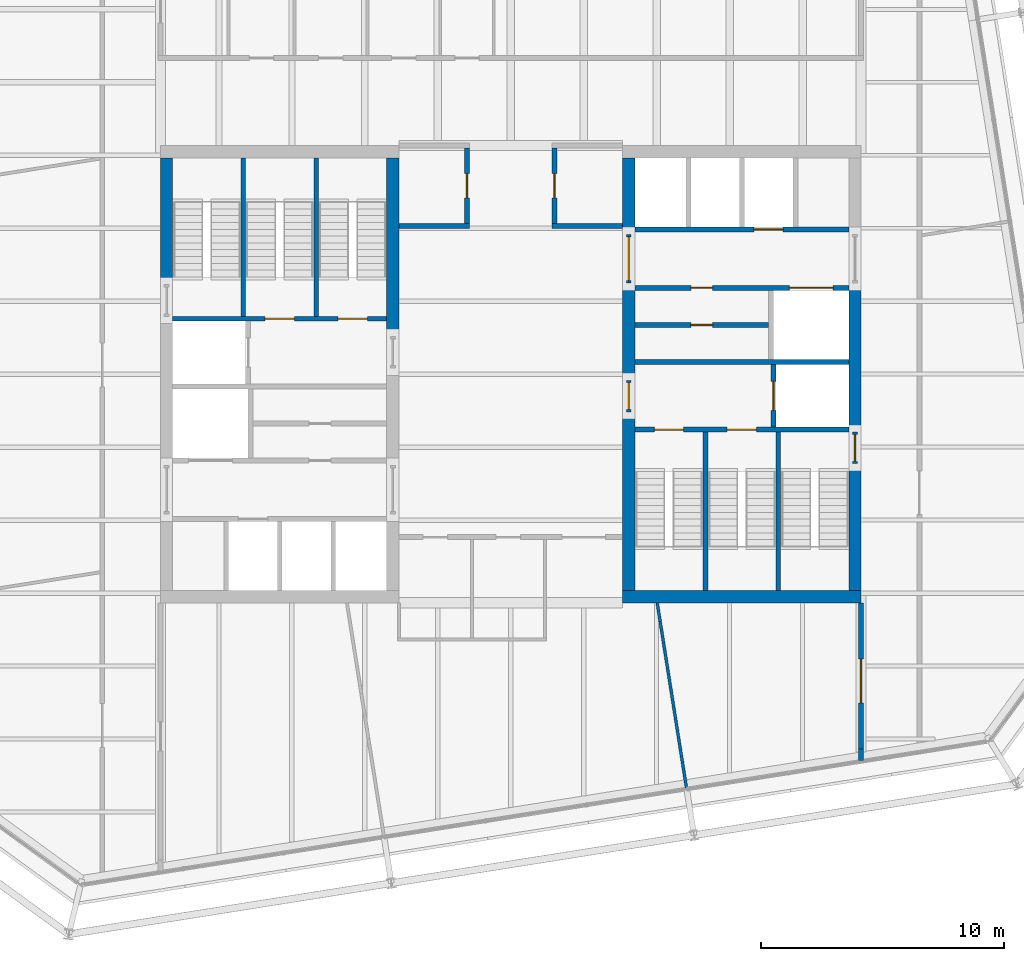
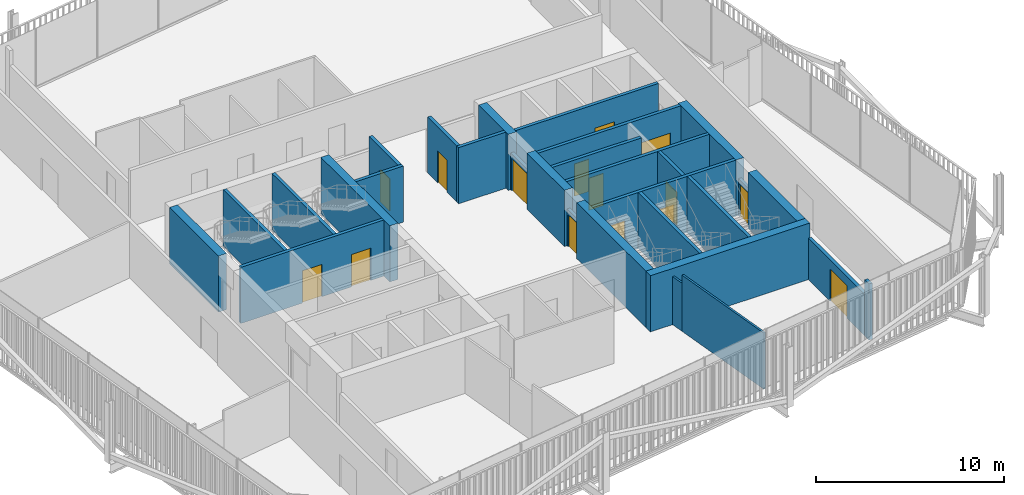
# One storey, part 18 of 21: 30 walls, 15 doors, 15 openings.
"""IFC4 building model written with IfcOpenShell, lengths in metres."""

from ifc_helpers import new_model, si_unit, direction, frame, frame_2d, origin, place, context, subcontext, project, spatial, rectangle, extrude, material, layer, layer_set, type_object, element, fill, save


model = new_model("IFC4")

# Units and contexts
model_context = context("Model", 3, precision=1e-05, world=origin(), true_north=direction((0.0, 1.0)))
body_context = subcontext(model_context, "Body", "Model", "MODEL_VIEW")
ifc_project = project(units=[si_unit("LENGTHUNIT", "METRE"), si_unit("AREAUNIT", "SQUARE_METRE"), si_unit("VOLUMEUNIT", "CUBIC_METRE"), si_unit("PLANEANGLEUNIT", "RADIAN"), si_unit("MASSUNIT", "GRAM", prefix="KILO")], contexts=[model_context])

# Site, building, storey
site_placement = place(None, origin())
site = spatial("IfcSite", under=ifc_project, at=site_placement, CompositionType="ELEMENT")
building_placement = place(site_placement, origin())
building = spatial("IfcBuilding", under=site, at=building_placement, Name="Millrace Tower", CompositionType="ELEMENT")
storey_placement = place(building_placement, frame((0.0, 0.0, 263.0)))
storey = spatial("IfcBuildingStorey", under=building, at=storey_placement, Name="L60", CompositionType="ELEMENT", Elevation=263.0)

# Walls
ifc_material_1 = material(Name="Concrete C60", Category="concrete")
ifc_layer_1 = layer(ifc_material_1, 0.5)
ifc_layer_set_1 = layer_set([ifc_layer_1], Name="Concrete C60")
wall_type_1 = type_object("IfcWallType", Name="Core wall 500 Concrete C60", PredefinedType="SHEAR", material=ifc_layer_set_1)
wall_1_placement = place(storey_placement, frame((-14.14990234375, 3.679931640625, 0.0), z_axis=(0.0, 0.0, 1.0), x_axis=(0.0, 1.0, 0.0)))
element("IfcWall", 1, at=wall_1_placement, inside=storey, type_object=wall_type_1, Name="Core wall W L60", PredefinedType="SHEAR", context=body_context, shape_type="SweptSolid", body=[
    extrude(rectangle(XDim=5.219970703125, YDim=0.5, at=frame_2d((2.60986328125, 0.0))), origin(), (0.0, 0.0, 1.0), 3.64990234375),
])
wall_2_placement = place(storey_placement, frame((-4.85009765625, 1.550048828125, 0.0), z_axis=(0.0, 0.0, 1.0), x_axis=(0.0, 1.0, 0.0)))
element("IfcWall", 2, at=wall_2_placement, inside=storey, type_object=wall_type_1, Name="Core wall W L60", PredefinedType="SHEAR", context=body_context, shape_type="SweptSolid", body=[
    extrude(rectangle(XDim=7.349853515625, YDim=0.5, at=frame_2d((3.6748046875, 0.0))), origin(), (0.0, 0.0, 1.0), 3.64990234375),
])
wall_3_placement = place(storey_placement, frame((14.39990234375, -9.14990234375, 0.0), z_axis=(0.0, 0.0, 1.0), x_axis=(-1.0, 0.0, 0.0)))
element("IfcWall", 3, at=wall_3_placement, inside=storey, type_object=wall_type_1, Name="Core wall E L60", PredefinedType="SHEAR", context=body_context, shape_type="SweptSolid", body=[
    extrude(rectangle(XDim=9.7998046875, YDim=0.5, at=frame_2d((4.89990234375, 0.0))), origin(), (0.0, 0.0, 1.0), 3.64990234375),
])
wall_4_placement = place(storey_placement, frame((14.14990234375, 3.75, 0.0), z_axis=(0.0, 0.0, 1.0), x_axis=(0.0, -1.0, 0.0)))
element("IfcWall", 4, at=wall_4_placement, inside=storey, type_object=wall_type_1, Name="Core wall E L60", PredefinedType="SHEAR", context=body_context, shape_type="SweptSolid", body=[
    extrude(rectangle(XDim=6.1298828125, YDim=0.5, at=frame_2d((3.06494140625, 0.0))), origin(), (0.0, 0.0, 1.0), 3.64990234375),
])
wall_5_placement = place(storey_placement, frame((14.14990234375, -3.679931640625, 0.0), z_axis=(0.0, 0.0, 1.0), x_axis=(0.0, -1.0, 0.0)))
element("IfcWall", 5, at=wall_5_placement, inside=storey, type_object=wall_type_1, Name="Core wall E L60", PredefinedType="SHEAR", context=body_context, shape_type="SweptSolid", body=[
    extrude(rectangle(XDim=5.219970703125, YDim=0.5, at=frame_2d((2.60986328125, 0.0))), origin(), (0.0, 0.0, 1.0), 3.64990234375),
])
wall_6_placement = place(storey_placement, frame((4.85009765625, 8.89990234375, 0.0), z_axis=(0.0, 0.0, 1.0), x_axis=(0.0, -1.0, 0.0)))
element("IfcWall", 6, at=wall_6_placement, inside=storey, type_object=wall_type_1, Name="Core wall E L60", PredefinedType="SHEAR", context=body_context, shape_type="SweptSolid", body=[
    extrude(rectangle(XDim=3.14990234375, YDim=0.5, at=frame_2d((1.574951171875, 0.0))), origin(), (0.0, 0.0, 1.0), 3.64990234375),
])
wall_7_placement = place(storey_placement, frame((4.85009765625, 3.75, 0.0), z_axis=(0.0, 0.0, 1.0), x_axis=(0.0, -1.0, 0.0)))
element("IfcWall", 7, at=wall_7_placement, inside=storey, type_object=wall_type_1, Name="Core wall E L60", PredefinedType="SHEAR", context=body_context, shape_type="SweptSolid", body=[
    extrude(rectangle(XDim=4.0, YDim=0.5, at=frame_2d((2.0, 0.0))), origin(), (0.0, 0.0, 1.0), 3.64990234375),
])
wall_8_placement = place(storey_placement, frame((4.85009765625, -1.550048828125, 0.0), z_axis=(0.0, 0.0, 1.0), x_axis=(0.0, -1.0, 0.0)))
element("IfcWall", 8, at=wall_8_placement, inside=storey, type_object=wall_type_1, Name="Core wall E L60", PredefinedType="SHEAR", context=body_context, shape_type="SweptSolid", body=[
    extrude(rectangle(XDim=7.349853515625, YDim=0.5, at=frame_2d((3.6748046875, 0.0))), origin(), (0.0, 0.0, 1.0), 3.64990234375),
])
ifc_material_2 = material(Name="Masonry partition, fire-rated", Category="masonry")
ifc_layer_2 = layer(ifc_material_2, 0.199951171875)
ifc_layer_set_2 = layer_set([ifc_layer_2], Name="Masonry partition, fire-rated")
wall_type_2 = type_object("IfcWallType", Name="Corridor wall 200", PredefinedType="PARTITIONING", material=ifc_layer_set_2)
for number, where, z_axis, x_axis, name in (
    (9, (-4.60009765625, 6.10009765625, 0.0), (0.0, 0.0, 1.0), (1.0, 0.0, 0.0), "Corridor wall L60"),
    (10, (1.699951171875, 6.10009765625, 0.0), (0.0, 0.0, 1.0), (1.0, 0.0, 0.0), "Corridor wall L60"),
):
    element("IfcWall", number, at=place(storey_placement, frame(where, z_axis=z_axis, x_axis=x_axis)), inside=storey, type_object=wall_type_2, Name=name, PredefinedType="PARTITIONING", context=body_context, shape_type="SweptSolid", body=[
        extrude(rectangle(XDim=2.900146484375, YDim=0.199951171875, at=frame_2d((1.4501953125, 0.0))), origin(), (0.0, 0.0, 1.0), 3.64990234375),
    ])
wall_9_placement = place(storey_placement, frame((14.39990234375, -15.87451171875, 0.0), z_axis=(0.0, 0.0, 1.0), x_axis=(0.0, 1.0, 0.0)))
element("IfcWall", 11, at=wall_9_placement, inside=storey, type_object=wall_type_2, Name="Corridor wall L60", PredefinedType="PARTITIONING", context=body_context, shape_type="SweptSolid", body=[
    extrude(rectangle(XDim=0.46533203125, YDim=0.199951171875, at=frame_2d((0.232666015625, 0.0))), origin(), (0.0, 0.0, 1.0), 3.64990234375),
])

# Wall, opening, door
wall_10_placement = place(storey_placement, frame((14.39990234375, -15.4091796875, 0.0), z_axis=(0.0, 0.0, 1.0), x_axis=(0.0, 1.0, 0.0)))
wall_10 = element("IfcWall", 12, at=wall_10_placement, inside=storey, type_object=wall_type_2, Name="Corridor wall L60", PredefinedType="PARTITIONING", context=body_context, shape_type="SweptSolid", body=[
    extrude(rectangle(XDim=6.00927734375, YDim=0.199951171875, at=frame_2d((3.004638671875, 0.0))), origin(), (0.0, 0.0, 1.0), 2.70263671875),
])
opening_1_placement = place(wall_10_placement, frame((1.897216796875, 0.0, 0.0)))
opening_1 = element("IfcOpeningElement", 13, at=opening_1_placement, cuts=wall_10, Name="Opening 60-P015", PredefinedType="OPENING", context=body_context, shape_type="SweptSolid", body=[
    extrude(rectangle(XDim=1.800048828125, YDim=2.10009765625, at=frame_2d((0.89990234375, 1.050048828125))), frame((0.0, 0.10986328125, 0.0), z_axis=(0.0, -1.0, 0.0), x_axis=(1.0, 0.0, 0.0)), (0.0, 0.0, 1.0), 0.219970703125),
])
ifc_material_3 = material(Name="Steel door set, fire-rated", Category="steel")
door_type_1 = type_object("IfcDoorType", Name="Corridor door 1800 x 2100", OperationType="DOUBLE_DOOR_SINGLE_SWING", PredefinedType="DOOR", material=ifc_material_3)
door_1_placement = place(opening_1_placement, origin())
door_1 = element("IfcDoor", 14, at=door_1_placement, inside=storey, type_object=door_type_1, Name="Door 60-P015", OperationType="DOUBLE_DOOR_SINGLE_SWING", OverallHeight=2.10009765625, OverallWidth=1.800048828125, PredefinedType="DOOR", context=body_context, shape_type="SweptSolid", body=[
    extrude(rectangle(XDim=1.800048828125, YDim=2.10009765625, at=frame_2d((0.89990234375, 1.050048828125))), frame((0.0, 0.02490234375, 0.0), z_axis=(0.0, -1.0, 0.0), x_axis=(1.0, 0.0, 0.0)), (0.0, 0.0, 1.0), 0.050048828125),
])
fill(opening_1, door_1)

wall_11_placement = place(storey_placement, frame((1.800048828125, 6.199951171875, 0.0), z_axis=(0.0, 0.0, 1.0), x_axis=(0.0, 1.0, 0.0)))
wall_11 = element("IfcWall", 15, at=wall_11_placement, inside=storey, type_object=wall_type_2, Name="Corridor wall L60", PredefinedType="PARTITIONING", context=body_context, shape_type="SweptSolid", body=[
    extrude(rectangle(XDim=3.10009765625, YDim=0.199951171875, at=frame_2d((1.550048828125, 0.0))), origin(), (0.0, 0.0, 1.0), 3.64990234375),
])
opening_2_placement = place(wall_11_placement, frame((1.050048828125, 0.0, 0.0)))
opening_2 = element("IfcOpeningElement", 16, at=opening_2_placement, cuts=wall_11, Name="Opening 60-P002", PredefinedType="OPENING", context=body_context, shape_type="SweptSolid", body=[
    extrude(rectangle(XDim=1.0, YDim=2.10009765625, at=frame_2d((0.5, 1.050048828125))), frame((0.0, 0.10986328125, 0.0), z_axis=(0.0, -1.0, 0.0), x_axis=(1.0, 0.0, 0.0)), (0.0, 0.0, 1.0), 0.219970703125),
])
ifc_material_4 = material(Name="Steel door set, fire-rated", Category="steel")
door_type_2 = type_object("IfcDoorType", Name="Corridor door 1000 x 2100", OperationType="SINGLE_SWING_LEFT", PredefinedType="DOOR", material=ifc_material_4)
door_2_placement = place(opening_2_placement, frame((1.0, 0.0, 0.0), z_axis=(0.0, 0.0, 1.0), x_axis=(-1.0, 0.0, 0.0)))
door_2 = element("IfcDoor", 17, at=door_2_placement, inside=storey, type_object=door_type_2, Name="Door 60-P002", OperationType="SINGLE_SWING_RIGHT", OverallHeight=2.10009765625, OverallWidth=1.0, PredefinedType="DOOR", context=body_context, shape_type="SweptSolid", body=[
    extrude(rectangle(XDim=1.0, YDim=2.10009765625, at=frame_2d((0.5, 1.050048828125))), frame((0.0, 0.02490234375, 0.0), z_axis=(0.0, -1.0, 0.0), x_axis=(1.0, 0.0, 0.0)), (0.0, 0.0, 1.0), 0.050048828125),
])
fill(opening_2, door_2)

wall_12_placement = place(storey_placement, frame((-1.800048828125, 6.199951171875, 0.0), z_axis=(0.0, 0.0, 1.0), x_axis=(0.0, 1.0, 0.0)))
wall_12 = element("IfcWall", 18, at=wall_12_placement, inside=storey, type_object=wall_type_2, Name="Corridor wall L60", PredefinedType="PARTITIONING", context=body_context, shape_type="SweptSolid", body=[
    extrude(rectangle(XDim=3.10009765625, YDim=0.199951171875, at=frame_2d((1.550048828125, 0.0))), origin(), (0.0, 0.0, 1.0), 3.64990234375),
])
opening_3_placement = place(wall_12_placement, frame((1.050048828125, 0.0, 0.0)))
opening_3 = element("IfcOpeningElement", 19, at=opening_3_placement, cuts=wall_12, Name="Opening 60-P001", PredefinedType="OPENING", context=body_context, shape_type="SweptSolid", body=[
    extrude(rectangle(XDim=1.0, YDim=2.10009765625, at=frame_2d((0.5, 1.050048828125))), frame((0.0, 0.10986328125, 0.0), z_axis=(0.0, -1.0, 0.0), x_axis=(1.0, 0.0, 0.0)), (0.0, 0.0, 1.0), 0.219970703125),
])
door_3_placement = place(opening_3_placement, origin())
door_3 = element("IfcDoor", 20, at=door_3_placement, inside=storey, type_object=door_type_2, Name="Door 60-P001", OperationType="SINGLE_SWING_LEFT", OverallHeight=2.10009765625, OverallWidth=1.0, PredefinedType="DOOR", context=body_context, shape_type="SweptSolid", body=[
    extrude(rectangle(XDim=1.0, YDim=2.10009765625, at=frame_2d((0.5, 1.050048828125))), frame((0.0, 0.02490234375, 0.0), z_axis=(0.0, -1.0, 0.0), x_axis=(1.0, 0.0, 0.0)), (0.0, 0.0, 1.0), 0.050048828125),
])
fill(opening_3, door_3)

ifc_material_5 = material(Name="Masonry partition, fire-rated", Category="masonry")
ifc_layer_3 = layer(ifc_material_5, 0.199951171875)
ifc_layer_set_3 = layer_set([ifc_layer_3], Name="Masonry partition, fire-rated")
wall_type_3 = type_object("IfcWallType", Name="Lift shaft wall 200", PredefinedType="PARTITIONING", material=ifc_layer_set_3)
wall_13_placement = place(storey_placement, frame((13.89990234375, 5.949951171875, 0.0), z_axis=(0.0, 0.0, 1.0), x_axis=(-1.0, 0.0, 0.0)))
wall_13 = element("IfcWall", 21, at=wall_13_placement, inside=storey, type_object=wall_type_3, Name="Lift shaft wall E L60", PredefinedType="PARTITIONING", context=body_context, shape_type="SweptSolid", body=[
    extrude(rectangle(XDim=8.7998046875, YDim=0.199951171875, at=frame_2d((4.39990234375, 0.0))), origin(), (0.0, 0.0, 1.0), 3.64990234375),
])
opening_4_placement = place(wall_13_placement, frame((2.699951171875, 0.0, 0.0)))
opening_4 = element("IfcOpeningElement", 22, at=opening_4_placement, cuts=wall_13, Name="Opening 60-LD10", PredefinedType="OPENING", context=body_context, shape_type="SweptSolid", body=[
    extrude(rectangle(XDim=1.199951171875, YDim=2.10009765625, at=frame_2d((0.60009765625, 1.050048828125))), frame((0.0, 0.10986328125, 0.0), z_axis=(0.0, -1.0, 0.0), x_axis=(1.0, 0.0, 0.0)), (0.0, 0.0, 1.0), 0.219970703125),
])
ifc_material_6 = material(Name="Stainless steel, fire-rated", Category="steel")
door_type_3 = type_object("IfcDoorType", Name="Lift landing door 1200 x 2100", OperationType="DOUBLE_DOOR_SLIDING", PredefinedType="DOOR", material=ifc_material_6)
door_4_placement = place(opening_4_placement, origin())
door_4 = element("IfcDoor", 23, at=door_4_placement, inside=storey, type_object=door_type_3, Name="Lift landing door LF10 L60", OperationType="DOUBLE_DOOR_SLIDING", OverallHeight=2.10009765625, OverallWidth=1.199951171875, PredefinedType="DOOR", context=body_context, shape_type="SweptSolid", body=[
    extrude(rectangle(XDim=1.199951171875, YDim=2.10009765625, at=frame_2d((0.60009765625, 1.050048828125))), frame((0.0, 0.02490234375, 0.0), z_axis=(0.0, -1.0, 0.0), x_axis=(1.0, 0.0, 0.0)), (0.0, 0.0, 1.0), 0.050048828125),
])
fill(opening_4, door_4)

# Wall, openings, doors
wall_14_placement = place(storey_placement, frame((13.89990234375, 3.550048828125, 0.0), z_axis=(0.0, 0.0, 1.0), x_axis=(-1.0, 0.0, 0.0)))
wall_14 = element("IfcWall", 24, at=wall_14_placement, inside=storey, type_object=wall_type_3, Name="Lift shaft wall E L60", PredefinedType="PARTITIONING", context=body_context, shape_type="SweptSolid", body=[
    extrude(rectangle(XDim=8.7998046875, YDim=0.199951171875, at=frame_2d((4.39990234375, 0.0))), origin(), (0.0, 0.0, 1.0), 3.64990234375),
])
opening_5_placement = place(wall_14_placement, frame((0.64990234375, 0.0, 0.0)))
opening_5 = element("IfcOpeningElement", 25, at=opening_5_placement, cuts=wall_14, Name="Opening 60-LD13", PredefinedType="OPENING", context=body_context, shape_type="SweptSolid", body=[
    extrude(rectangle(XDim=1.800048828125, YDim=2.10009765625, at=frame_2d((0.89990234375, 1.050048828125))), frame((0.0, 0.10986328125, 0.0), z_axis=(0.0, -1.0, 0.0), x_axis=(1.0, 0.0, 0.0)), (0.0, 0.0, 1.0), 0.219970703125),
])
opening_6_placement = place(wall_14_placement, frame((5.60009765625, 0.0, 0.0)))
opening_6 = element("IfcOpeningElement", 26, at=opening_6_placement, cuts=wall_14, Name="Opening 60-C013", PredefinedType="OPENING", context=body_context, shape_type="SweptSolid", body=[
    extrude(rectangle(XDim=0.89990234375, YDim=2.10009765625, at=frame_2d((0.449951171875, 1.050048828125))), frame((0.0, 0.10986328125, 0.0), z_axis=(0.0, -1.0, 0.0), x_axis=(1.0, 0.0, 0.0)), (0.0, 0.0, 1.0), 0.219970703125),
])
ifc_material_7 = material(Name="Stainless steel, fire-rated", Category="steel")
door_type_4 = type_object("IfcDoorType", Name="Lift landing door 1800 x 2100", OperationType="DOUBLE_DOOR_SLIDING", PredefinedType="DOOR", material=ifc_material_7)
door_5_placement = place(opening_5_placement, origin())
door_5 = element("IfcDoor", 27, at=door_5_placement, inside=storey, type_object=door_type_4, Name="Lift landing door LF13 L60", OperationType="DOUBLE_DOOR_SLIDING", OverallHeight=2.10009765625, OverallWidth=1.800048828125, PredefinedType="DOOR", context=body_context, shape_type="SweptSolid", body=[
    extrude(rectangle(XDim=1.800048828125, YDim=2.10009765625, at=frame_2d((0.89990234375, 1.050048828125))), frame((0.0, 0.02490234375, 0.0), z_axis=(0.0, -1.0, 0.0), x_axis=(1.0, 0.0, 0.0)), (0.0, 0.0, 1.0), 0.050048828125),
])
fill(opening_5, door_5)
ifc_material_8 = material(Name="Steel door, fire-rated", Category="steel")
door_type_5 = type_object("IfcDoorType", Name="Service room door 900 x 2100", OperationType="SINGLE_SWING_LEFT", PredefinedType="DOOR", material=ifc_material_8)
door_6_placement = place(opening_6_placement, frame((0.89990234375, 0.0, 0.0), z_axis=(0.0, 0.0, 1.0), x_axis=(-1.0, 0.0, 0.0)))
door_6 = element("IfcDoor", 28, at=door_6_placement, inside=storey, type_object=door_type_5, Name="Service room door 60-C013", OperationType="SINGLE_SWING_LEFT", OverallHeight=2.10009765625, OverallWidth=0.89990234375, PredefinedType="DOOR", context=body_context, shape_type="SweptSolid", body=[
    extrude(rectangle(XDim=0.89990234375, YDim=2.10009765625, at=frame_2d((0.449951171875, 1.050048828125))), frame((0.0, 0.02490234375, 0.0), z_axis=(0.0, -1.0, 0.0), x_axis=(1.0, 0.0, 0.0)), (0.0, 0.0, 1.0), 0.050048828125),
])
fill(opening_6, door_6)

# Wall
wall_15_placement = place(storey_placement, frame((13.89990234375, 0.5, 0.0), z_axis=(0.0, 0.0, 1.0), x_axis=(-1.0, 0.0, 0.0)))
element("IfcWall", 29, at=wall_15_placement, inside=storey, type_object=wall_type_3, Name="Lift shaft wall E L60", PredefinedType="PARTITIONING", context=body_context, shape_type="SweptSolid", body=[
    extrude(rectangle(XDim=8.7998046875, YDim=0.199951171875, at=frame_2d((4.39990234375, 0.0))), origin(), (0.0, 0.0, 1.0), 3.64990234375),
])

# Wall, opening, door
wall_16_placement = place(storey_placement, frame((10.800048828125, 0.39990234375, 0.0), z_axis=(0.0, 0.0, 1.0), x_axis=(0.0, -1.0, 0.0)))
wall_16 = element("IfcWall", 30, at=wall_16_placement, inside=storey, type_object=wall_type_3, Name="Lift shaft wall E L60", PredefinedType="PARTITIONING", context=body_context, shape_type="SweptSolid", body=[
    extrude(rectangle(XDim=2.579833984375, YDim=0.199951171875, at=frame_2d((1.2900390625, 0.0))), origin(), (0.0, 0.0, 1.0), 3.64990234375),
])
opening_7_placement = place(wall_16_placement, frame((0.68994140625, 0.0, 0.0)))
opening_7 = element("IfcOpeningElement", 31, at=opening_7_placement, cuts=wall_16, Name="Opening 60-LD16", PredefinedType="OPENING", context=body_context, shape_type="SweptSolid", body=[
    extrude(rectangle(XDim=1.199951171875, YDim=2.10009765625, at=frame_2d((0.60009765625, 1.050048828125))), frame((0.0, 0.10986328125, 0.0), z_axis=(0.0, -1.0, 0.0), x_axis=(1.0, 0.0, 0.0)), (0.0, 0.0, 1.0), 0.219970703125),
])
door_7_placement = place(opening_7_placement, origin())
door_7 = element("IfcDoor", 32, at=door_7_placement, inside=storey, type_object=door_type_3, Name="Lift landing door LF16 L60", OperationType="DOUBLE_DOOR_SLIDING", OverallHeight=2.10009765625, OverallWidth=1.199951171875, PredefinedType="DOOR", context=body_context, shape_type="SweptSolid", body=[
    extrude(rectangle(XDim=1.199951171875, YDim=2.10009765625, at=frame_2d((0.60009765625, 1.050048828125))), frame((0.0, 0.02490234375, 0.0), z_axis=(0.0, -1.0, 0.0), x_axis=(1.0, 0.0, 0.0)), (0.0, 0.0, 1.0), 0.050048828125),
])
fill(opening_7, door_7)

ifc_material_9 = material(Name="Masonry partition, fire-rated", Category="masonry")
ifc_layer_4 = layer(ifc_material_9, 0.199951171875)
ifc_layer_set_4 = layer_set([ifc_layer_4], Name="Masonry partition, fire-rated")
wall_type_4 = type_object("IfcWallType", Name="Lobby wall 200", PredefinedType="PARTITIONING", material=ifc_layer_set_4)
wall_17_placement = place(storey_placement, frame((4.85009765625, 5.75, 0.0), z_axis=(0.0, 0.0, 1.0), x_axis=(0.0, -1.0, 0.0)))
wall_17 = element("IfcWall", 33, at=wall_17_placement, inside=storey, type_object=wall_type_4, Name="Lobby wall E L60", PredefinedType="PARTITIONING", context=body_context, shape_type="SweptSolid", body=[
    extrude(rectangle(XDim=2.0, YDim=0.199951171875, at=frame_2d((1.0, 0.0))), origin(), (0.0, 0.0, 1.0), 2.39990234375),
])
opening_8_placement = place(wall_17_placement, frame((0.10009765625, 0.0, 0.0)))
opening_8 = element("IfcOpeningElement", 34, at=opening_8_placement, cuts=wall_17, Name="Opening 60-C011", PredefinedType="OPENING", context=body_context, shape_type="SweptSolid", body=[
    extrude(rectangle(XDim=1.800048828125, YDim=2.10009765625, at=frame_2d((0.89990234375, 1.050048828125))), frame((0.0, 0.10986328125, 0.0), z_axis=(0.0, -1.0, 0.0), x_axis=(1.0, 0.0, 0.0)), (0.0, 0.0, 1.0), 0.219970703125),
])
ifc_material_10 = material(Name="Steel door, fire-rated", Category="steel")
door_type_6 = type_object("IfcDoorType", Name="Lobby door 1800 x 2100", OperationType="DOUBLE_DOOR_SINGLE_SWING", PredefinedType="DOOR", material=ifc_material_10)
door_8_placement = place(opening_8_placement, frame((1.800048828125, 0.0, 0.0), z_axis=(0.0, 0.0, 1.0), x_axis=(-1.0, 0.0, 0.0)))
door_8 = element("IfcDoor", 35, at=door_8_placement, inside=storey, type_object=door_type_6, Name="Lobby door 60-C011", OperationType="DOUBLE_DOOR_SINGLE_SWING", OverallHeight=2.10009765625, OverallWidth=1.800048828125, PredefinedType="DOOR", context=body_context, shape_type="SweptSolid", body=[
    extrude(rectangle(XDim=1.800048828125, YDim=2.10009765625, at=frame_2d((0.89990234375, 1.050048828125))), frame((0.0, 0.02490234375, 0.0), z_axis=(0.0, -1.0, 0.0), x_axis=(1.0, 0.0, 0.0)), (0.0, 0.0, 1.0), 0.050048828125),
])
fill(opening_8, door_8)

wall_18_placement = place(storey_placement, frame((4.85009765625, -0.25, 0.0), z_axis=(0.0, 0.0, 1.0), x_axis=(0.0, -1.0, 0.0)))
wall_18 = element("IfcWall", 36, at=wall_18_placement, inside=storey, type_object=wall_type_4, Name="Lobby wall E L60", PredefinedType="PARTITIONING", context=body_context, shape_type="SweptSolid", body=[
    extrude(rectangle(XDim=1.300048828125, YDim=0.199951171875, at=frame_2d((0.64990234375, 0.0))), origin(), (0.0, 0.0, 1.0), 2.39990234375),
])
opening_9_placement = place(wall_18_placement, frame((0.10009765625, 0.0, 0.0)))
opening_9 = element("IfcOpeningElement", 37, at=opening_9_placement, cuts=wall_18, Name="Opening 60-C012", PredefinedType="OPENING", context=body_context, shape_type="SweptSolid", body=[
    extrude(rectangle(XDim=1.10009765625, YDim=2.10009765625, at=frame_2d((0.550048828125, 1.050048828125))), frame((0.0, 0.10986328125, 0.0), z_axis=(0.0, -1.0, 0.0), x_axis=(1.0, 0.0, 0.0)), (0.0, 0.0, 1.0), 0.219970703125),
])
ifc_material_11 = material(Name="Steel door, fire-rated", Category="steel")
door_type_7 = type_object("IfcDoorType", Name="Lobby door 1100 x 2100", OperationType="SINGLE_SWING_LEFT", PredefinedType="DOOR", material=ifc_material_11)
door_9_placement = place(opening_9_placement, frame((1.10009765625, 0.0, 0.0), z_axis=(0.0, 0.0, 1.0), x_axis=(-1.0, 0.0, 0.0)))
door_9 = element("IfcDoor", 38, at=door_9_placement, inside=storey, type_object=door_type_7, Name="Lobby door 60-C012", OperationType="SINGLE_SWING_LEFT", OverallHeight=2.10009765625, OverallWidth=1.10009765625, PredefinedType="DOOR", context=body_context, shape_type="SweptSolid", body=[
    extrude(rectangle(XDim=1.10009765625, YDim=2.10009765625, at=frame_2d((0.550048828125, 1.050048828125))), frame((0.0, 0.02490234375, 0.0), z_axis=(0.0, -1.0, 0.0), x_axis=(1.0, 0.0, 0.0)), (0.0, 0.0, 1.0), 0.050048828125),
])
fill(opening_9, door_9)

# Walls
ifc_material_12 = material(Name="Gypsum board partition")
ifc_layer_5 = layer(ifc_material_12, 0.1201171875)
ifc_layer_set_5 = layer_set([ifc_layer_5], Name="Gypsum board partition")
wall_type_5 = type_object("IfcWallType", Name="Partition wall 120", PredefinedType="PARTITIONING", material=ifc_layer_set_5)
wall_19_placement = place(storey_placement, frame((6.02001953125, -9.39990234375, 0.0), z_axis=(0.0, 0.0, 1.0), x_axis=(0.1563648424, -0.987699365223, 0.0)))
element("IfcWall", 39, at=wall_19_placement, inside=storey, type_object=wall_type_5, Name="Partition wall L60", PredefinedType="PARTITIONING", context=body_context, shape_type="SweptSolid", body=[
    extrude(rectangle(XDim=0.779052734375, YDim=0.1201171875, at=frame_2d((0.3896484375, 0.0))), origin(), (0.0, 0.0, 1.0), 3.124267578125),
])
wall_20_placement = place(storey_placement, frame((6.141845703125, -10.16943359375, 0.0), z_axis=(0.0, 0.0, 1.0), x_axis=(0.156351697361, -0.987701446153, 0.0)))
element("IfcWall", 40, at=wall_20_placement, inside=storey, type_object=wall_type_5, Name="Partition wall L60", PredefinedType="PARTITIONING", context=body_context, shape_type="SweptSolid", body=[
    extrude(rectangle(XDim=6.9267578125, YDim=0.1201171875, at=frame_2d((3.46337890625, 0.0))), origin(), (0.0, 0.0, 1.0), 3.64990234375),
])

# Wall, opening, door
ifc_material_13 = material(Name="Masonry partition, fire-rated", Category="masonry")
ifc_layer_6 = layer(ifc_material_13, 0.199951171875)
ifc_layer_set_6 = layer_set([ifc_layer_6], Name="Masonry partition, fire-rated")
wall_type_6 = type_object("IfcWallType", Name="Room partition 200", PredefinedType="PARTITIONING", material=ifc_layer_set_6)
wall_21_placement = place(storey_placement, frame((10.60009765625, 2.02490234375, 0.0), z_axis=(0.0, 0.0, 1.0), x_axis=(-1.0, 0.0, 0.0)))
wall_21 = element("IfcWall", 41, at=wall_21_placement, inside=storey, type_object=wall_type_6, Name="Room partition E L60", PredefinedType="PARTITIONING", context=body_context, shape_type="SweptSolid", body=[
    extrude(rectangle(XDim=5.5, YDim=0.199951171875, at=frame_2d((2.75, 0.0))), origin(), (0.0, 0.0, 1.0), 3.64990234375),
])
opening_10_placement = place(wall_21_placement, frame((2.300048828125, 0.0, 0.0)))
opening_10 = element("IfcOpeningElement", 42, at=opening_10_placement, cuts=wall_21, Name="Opening 60-C014", PredefinedType="OPENING", context=body_context, shape_type="SweptSolid", body=[
    extrude(rectangle(XDim=0.89990234375, YDim=2.10009765625, at=frame_2d((0.449951171875, 1.050048828125))), frame((0.0, 0.10986328125, 0.0), z_axis=(0.0, -1.0, 0.0), x_axis=(1.0, 0.0, 0.0)), (0.0, 0.0, 1.0), 0.219970703125),
])
door_10_placement = place(opening_10_placement, origin())
door_10 = element("IfcDoor", 43, at=door_10_placement, inside=storey, type_object=door_type_5, Name="Service room door 60-C014", OperationType="SINGLE_SWING_RIGHT", OverallHeight=2.10009765625, OverallWidth=0.89990234375, PredefinedType="DOOR", context=body_context, shape_type="SweptSolid", body=[
    extrude(rectangle(XDim=0.89990234375, YDim=2.10009765625, at=frame_2d((0.449951171875, 1.050048828125))), frame((0.0, 0.02490234375, 0.0), z_axis=(0.0, -1.0, 0.0), x_axis=(1.0, 0.0, 0.0)), (0.0, 0.0, 1.0), 0.050048828125),
])
fill(opening_10, door_10)

# Wall, openings, doors
ifc_material_14 = material(Name="Concrete C40", Category="concrete")
ifc_layer_7 = layer(ifc_material_14, 0.199951171875)
ifc_layer_set_7 = layer_set([ifc_layer_7], Name="Concrete C40")
wall_type_7 = type_object("IfcWallType", Name="Stair enclosure wall 200 Concrete C40", PredefinedType="SHEAR", material=ifc_layer_set_7)
wall_22_placement = place(storey_placement, frame((-13.89990234375, 2.280029296875, 0.0), z_axis=(0.0, 0.0, 1.0), x_axis=(1.0, 0.0, 0.0)))
wall_22 = element("IfcWall", 44, at=wall_22_placement, inside=storey, type_object=wall_type_7, Name="Stair enclosure wall W L60", PredefinedType="SHEAR", context=body_context, shape_type="SweptSolid", body=[
    extrude(rectangle(XDim=8.7998046875, YDim=0.199951171875, at=frame_2d((4.39990234375, 0.0))), origin(), (0.0, 0.0, 1.0), 3.64990234375),
])
opening_11_placement = place(wall_22_placement, frame((3.800048828125, 0.0, 0.0)))
opening_11 = element("IfcOpeningElement", 45, at=opening_11_placement, cuts=wall_22, Name="Opening 60-C007", PredefinedType="OPENING", context=body_context, shape_type="SweptSolid", body=[
    extrude(rectangle(XDim=1.199951171875, YDim=2.10009765625, at=frame_2d((0.60009765625, 1.050048828125))), frame((0.0, 0.10986328125, 0.0), z_axis=(0.0, -1.0, 0.0), x_axis=(1.0, 0.0, 0.0)), (0.0, 0.0, 1.0), 0.219970703125),
])
opening_12_placement = place(wall_22_placement, frame((6.800048828125, 0.0, 0.0)))
opening_12 = element("IfcOpeningElement", 46, at=opening_12_placement, cuts=wall_22, Name="Opening 60-C008", PredefinedType="OPENING", context=body_context, shape_type="SweptSolid", body=[
    extrude(rectangle(XDim=1.199951171875, YDim=2.10009765625, at=frame_2d((0.60009765625, 1.050048828125))), frame((0.0, 0.10986328125, 0.0), z_axis=(0.0, -1.0, 0.0), x_axis=(1.0, 0.0, 0.0)), (0.0, 0.0, 1.0), 0.219970703125),
])
ifc_material_15 = material(Name="Steel door, fire-rated", Category="steel")
door_type_8 = type_object("IfcDoorType", Name="Stair door 1200 x 2100", OperationType="SINGLE_SWING_LEFT", PredefinedType="DOOR", material=ifc_material_15)
door_11_placement = place(opening_11_placement, frame((1.199951171875, 0.0, 0.0), z_axis=(0.0, 0.0, 1.0), x_axis=(-1.0, 0.0, 0.0)))
door_11 = element("IfcDoor", 47, at=door_11_placement, inside=storey, type_object=door_type_8, Name="Stair door 60-C007", OperationType="SINGLE_SWING_LEFT", OverallHeight=2.10009765625, OverallWidth=1.199951171875, PredefinedType="DOOR", context=body_context, shape_type="SweptSolid", body=[
    extrude(rectangle(XDim=1.199951171875, YDim=2.10009765625, at=frame_2d((0.60009765625, 1.050048828125))), frame((0.0, 0.02490234375, 0.0), z_axis=(0.0, -1.0, 0.0), x_axis=(1.0, 0.0, 0.0)), (0.0, 0.0, 1.0), 0.050048828125),
])
fill(opening_11, door_11)
door_12_placement = place(opening_12_placement, frame((1.199951171875, 0.0, 0.0), z_axis=(0.0, 0.0, 1.0), x_axis=(-1.0, 0.0, 0.0)))
door_12 = element("IfcDoor", 48, at=door_12_placement, inside=storey, type_object=door_type_8, Name="Stair door 60-C008", OperationType="SINGLE_SWING_LEFT", OverallHeight=2.10009765625, OverallWidth=1.199951171875, PredefinedType="DOOR", context=body_context, shape_type="SweptSolid", body=[
    extrude(rectangle(XDim=1.199951171875, YDim=2.10009765625, at=frame_2d((0.60009765625, 1.050048828125))), frame((0.0, 0.02490234375, 0.0), z_axis=(0.0, -1.0, 0.0), x_axis=(1.0, 0.0, 0.0)), (0.0, 0.0, 1.0), 0.050048828125),
])
fill(opening_12, door_12)

# Walls
for number, where, z_axis, x_axis, name in (
    (49, (-11.0, 2.3798828125, 0.0), (0.0, 0.0, 1.0), (0.0, 1.0, 0.0), "Stair enclosure wall W L60"),
    (50, (-8.0, 2.3798828125, 0.0), (0.0, 0.0, 1.0), (0.0, 1.0, 0.0), "Stair enclosure wall W L60"),
):
    element("IfcWall", number, at=place(storey_placement, frame(where, z_axis=z_axis, x_axis=x_axis)), inside=storey, type_object=wall_type_7, Name=name, PredefinedType="SHEAR", context=body_context, shape_type="SweptSolid", body=[
        extrude(rectangle(XDim=6.52001953125, YDim=0.199951171875, at=frame_2d((3.260009765625, 0.0))), origin(), (0.0, 0.0, 1.0), 3.64990234375),
    ])

# Wall, opening, door
wall_23_placement = place(storey_placement, frame((14.14990234375, -2.3798828125, 0.0), z_axis=(0.0, 0.0, 1.0), x_axis=(0.0, -1.0, 0.0)))
wall_23 = element("IfcWall", 51, at=wall_23_placement, inside=storey, type_object=wall_type_7, Name="Stair enclosure wall E L60", PredefinedType="SHEAR", context=body_context, shape_type="SweptSolid", body=[
    extrude(rectangle(XDim=1.300048828125, YDim=0.199951171875, at=frame_2d((0.64990234375, 0.0))), origin(), (0.0, 0.0, 1.0), 2.39990234375),
])
opening_13_placement = place(wall_23_placement, frame((0.10009765625, 0.0, 0.0)))
opening_13 = element("IfcOpeningElement", 52, at=opening_13_placement, cuts=wall_23, Name="Opening 60-C010", PredefinedType="OPENING", context=body_context, shape_type="SweptSolid", body=[
    extrude(rectangle(XDim=1.10009765625, YDim=2.10009765625, at=frame_2d((0.550048828125, 1.050048828125))), frame((0.0, 0.10986328125, 0.0), z_axis=(0.0, -1.0, 0.0), x_axis=(1.0, 0.0, 0.0)), (0.0, 0.0, 1.0), 0.219970703125),
])
ifc_material_16 = material(Name="Steel door, fire-rated", Category="steel")
door_type_9 = type_object("IfcDoorType", Name="Stair door 1100 x 2100", OperationType="SINGLE_SWING_LEFT", PredefinedType="DOOR", material=ifc_material_16)
door_13_placement = place(opening_13_placement, origin())
door_13 = element("IfcDoor", 53, at=door_13_placement, inside=storey, type_object=door_type_9, Name="Stair door 60-C010", OperationType="SINGLE_SWING_RIGHT", OverallHeight=2.10009765625, OverallWidth=1.10009765625, PredefinedType="DOOR", context=body_context, shape_type="SweptSolid", body=[
    extrude(rectangle(XDim=1.10009765625, YDim=2.10009765625, at=frame_2d((0.550048828125, 1.050048828125))), frame((0.0, 0.02490234375, 0.0), z_axis=(0.0, -1.0, 0.0), x_axis=(1.0, 0.0, 0.0)), (0.0, 0.0, 1.0), 0.050048828125),
])
fill(opening_13, door_13)

# Wall, openings, doors
wall_24_placement = place(storey_placement, frame((13.89990234375, -2.280029296875, 0.0), z_axis=(0.0, 0.0, 1.0), x_axis=(-1.0, 0.0, 0.0)))
wall_24 = element("IfcWall", 54, at=wall_24_placement, inside=storey, type_object=wall_type_7, Name="Stair enclosure wall E L60", PredefinedType="SHEAR", context=body_context, shape_type="SweptSolid", body=[
    extrude(rectangle(XDim=8.7998046875, YDim=0.199951171875, at=frame_2d((4.39990234375, 0.0))), origin(), (0.0, 0.0, 1.0), 3.64990234375),
])
opening_14_placement = place(wall_24_placement, frame((3.800048828125, 0.0, 0.0)))
opening_14 = element("IfcOpeningElement", 55, at=opening_14_placement, cuts=wall_24, Name="Opening 60-C015", PredefinedType="OPENING", context=body_context, shape_type="SweptSolid", body=[
    extrude(rectangle(XDim=1.199951171875, YDim=2.10009765625, at=frame_2d((0.60009765625, 1.050048828125))), frame((0.0, 0.10986328125, 0.0), z_axis=(0.0, -1.0, 0.0), x_axis=(1.0, 0.0, 0.0)), (0.0, 0.0, 1.0), 0.219970703125),
])
opening_15_placement = place(wall_24_placement, frame((6.800048828125, 0.0, 0.0)))
opening_15 = element("IfcOpeningElement", 56, at=opening_15_placement, cuts=wall_24, Name="Opening 60-C016", PredefinedType="OPENING", context=body_context, shape_type="SweptSolid", body=[
    extrude(rectangle(XDim=1.199951171875, YDim=2.10009765625, at=frame_2d((0.60009765625, 1.050048828125))), frame((0.0, 0.10986328125, 0.0), z_axis=(0.0, -1.0, 0.0), x_axis=(1.0, 0.0, 0.0)), (0.0, 0.0, 1.0), 0.219970703125),
])
door_14_placement = place(opening_14_placement, frame((1.199951171875, 0.0, 0.0), z_axis=(0.0, 0.0, 1.0), x_axis=(-1.0, 0.0, 0.0)))
door_14 = element("IfcDoor", 57, at=door_14_placement, inside=storey, type_object=door_type_8, Name="Stair door 60-C015", OperationType="SINGLE_SWING_LEFT", OverallHeight=2.10009765625, OverallWidth=1.199951171875, PredefinedType="DOOR", context=body_context, shape_type="SweptSolid", body=[
    extrude(rectangle(XDim=1.199951171875, YDim=2.10009765625, at=frame_2d((0.60009765625, 1.050048828125))), frame((0.0, 0.02490234375, 0.0), z_axis=(0.0, -1.0, 0.0), x_axis=(1.0, 0.0, 0.0)), (0.0, 0.0, 1.0), 0.050048828125),
])
fill(opening_14, door_14)
door_15_placement = place(opening_15_placement, frame((1.199951171875, 0.0, 0.0), z_axis=(0.0, 0.0, 1.0), x_axis=(-1.0, 0.0, 0.0)))
door_15 = element("IfcDoor", 58, at=door_15_placement, inside=storey, type_object=door_type_8, Name="Stair door 60-C016", OperationType="SINGLE_SWING_LEFT", OverallHeight=2.10009765625, OverallWidth=1.199951171875, PredefinedType="DOOR", context=body_context, shape_type="SweptSolid", body=[
    extrude(rectangle(XDim=1.199951171875, YDim=2.10009765625, at=frame_2d((0.60009765625, 1.050048828125))), frame((0.0, 0.02490234375, 0.0), z_axis=(0.0, -1.0, 0.0), x_axis=(1.0, 0.0, 0.0)), (0.0, 0.0, 1.0), 0.050048828125),
])
fill(opening_15, door_15)

# Walls
for number, where, z_axis, x_axis, name in (
    (59, (11.0, -2.3798828125, 0.0), (0.0, 0.0, 1.0), (0.0, -1.0, 0.0), "Stair enclosure wall E L60"),
    (60, (8.0, -2.3798828125, 0.0), (0.0, 0.0, 1.0), (0.0, -1.0, 0.0), "Stair enclosure wall E L60"),
):
    element("IfcWall", number, at=place(storey_placement, frame(where, z_axis=z_axis, x_axis=x_axis)), inside=storey, type_object=wall_type_7, Name=name, PredefinedType="SHEAR", context=body_context, shape_type="SweptSolid", body=[
        extrude(rectangle(XDim=6.52001953125, YDim=0.199951171875, at=frame_2d((3.260009765625, 0.0))), origin(), (0.0, 0.0, 1.0), 3.64990234375),
    ])

save(model, "model.ifc")
